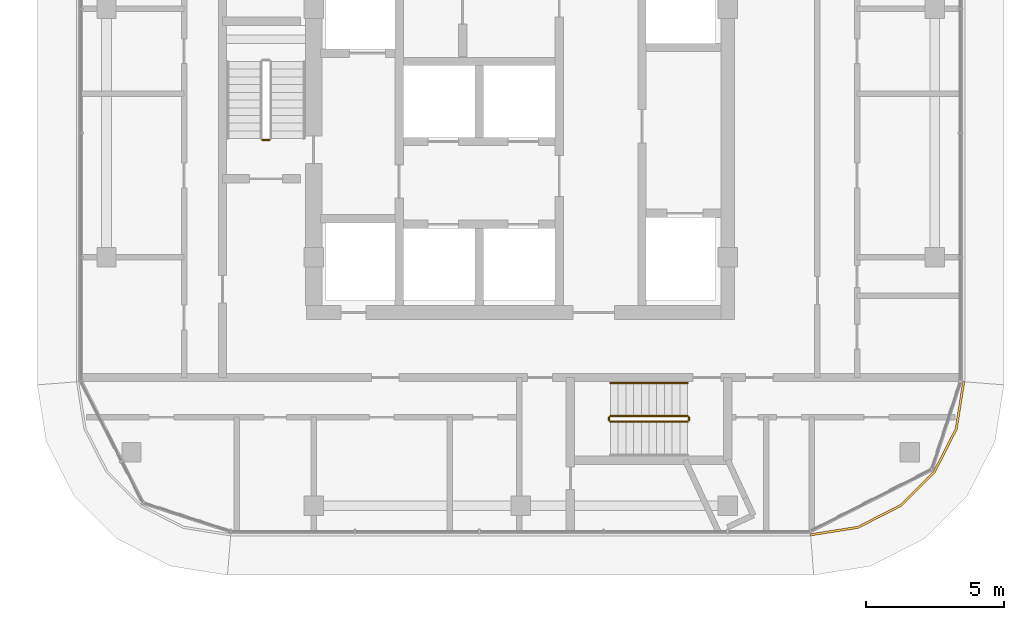
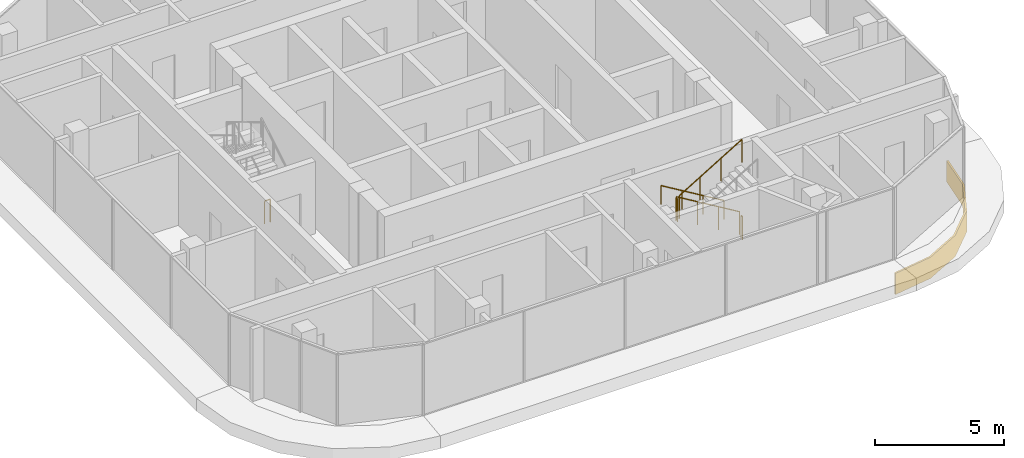
# One storey, part 39 of 40: 6 railings, 1 covering.
"""IFC4 building model written with IfcOpenShell, lengths in metres."""

from ifc_helpers import new_model, si_unit, direction, frame, origin, origin_2d, place, context, subcontext, project, spatial, polyline, circle, outline, extrude, material, layer, layer_set, type_object, element, save


model = new_model("IFC4")

# Units and contexts
model_context = context("Model", 3, precision=1e-05, world=origin(), true_north=direction((0.0, 1.0)))
body_context = subcontext(model_context, "Body", "Model", "MODEL_VIEW")
ifc_project = project(units=[si_unit("LENGTHUNIT", "METRE"), si_unit("AREAUNIT", "SQUARE_METRE"), si_unit("VOLUMEUNIT", "CUBIC_METRE"), si_unit("PLANEANGLEUNIT", "RADIAN"), si_unit("MASSUNIT", "GRAM", prefix="KILO")], contexts=[model_context])

# Site, building, storey
site_placement = place(None, origin())
site = spatial("IfcSite", under=ifc_project, at=site_placement, CompositionType="ELEMENT")
building_placement = place(site_placement, origin())
building = spatial("IfcBuilding", under=site, at=building_placement, Name="Ogive Portal Towers", CompositionType="ELEMENT")
storey_placement = place(building_placement, frame((0.0, 0.0, 87.10009765625)))
storey = spatial("IfcBuildingStorey", under=building, at=storey_placement, Name="L20", CompositionType="ELEMENT", Elevation=87.10009765625)

# Railings
ifc_material_1 = material(Name="Stainless steel balustrade", Category="steel")
railing_type_1 = type_object("IfcRailingType", Name="INT-GUARD", PredefinedType="GUARDRAIL", material=ifc_material_1)
railing_1_placement = place(storey_placement, frame((127.39990234375, 30.75, 0.0)))
element("IfcRailing", 1, at=railing_1_placement, inside=storey, type_object=railing_type_1, Name="L20 ST-B1 stair guard 4", PredefinedType="GUARDRAIL", context=body_context, shape_type="SweptSolid", body=[
    extrude(circle(Radius=0.02392578125, at=origin_2d()), frame((0.0, 0.0, 1.076171875), z_axis=(-1.0, 0.0, 0.0), x_axis=(0.0, -1.0, 0.0)), (0.0, 0.0, 1.0), 0.25),
    extrude(circle(Radius=0.02099609375, at=origin_2d()), origin(), (0.0, 0.0, 1.0), 1.052001953125),
    extrude(circle(Radius=0.02099609375, at=origin_2d()), frame((-0.25, 0.0, 0.0)), (0.0, 0.0, 1.0), 1.052001953125),
])
railing_2_placement = place(storey_placement, frame((142.550048828125, 20.75, 0.16796875)))
element("IfcRailing", 2, at=railing_2_placement, inside=storey, type_object=railing_type_1, Name="L20 ST-B2 stair guard 1", PredefinedType="GUARDRAIL", context=body_context, shape_type="SweptSolid", body=[
    extrude(circle(Radius=0.02392578125, at=origin_2d()), frame((0.0, 0.0, 1.076171875), z_axis=(-0.857242210791, 0.0, 0.514913383045), x_axis=(0.0, -1.0, 0.0)), (0.0, 0.0, 1.0), 3.266357421875),
    extrude(circle(Radius=0.02099609375, at=origin_2d()), origin(), (0.0, 0.0, 1.0), 1.052001953125),
    extrude(circle(Radius=0.02099609375, at=origin_2d()), frame((-0.933349609375, 0.0, 0.560546875)), (0.0, 0.0, 1.0), 1.052001953125),
    extrude(circle(Radius=0.02099609375, at=origin_2d()), frame((-1.86669921875, 0.0, 1.121337890625)), (0.0, 0.0, 1.0), 1.052001953125),
    extrude(circle(Radius=0.02099609375, at=origin_2d()), frame((-2.800048828125, 0.0, 1.681884765625)), (0.0, 0.0, 1.0), 1.052001953125),
])
railing_3_placement = place(storey_placement, frame((139.699951171875, 20.699951171875, 1.849853515625)))
element("IfcRailing", 3, at=railing_3_placement, inside=storey, type_object=railing_type_1, Name="L20 ST-B2 stair guard 2", PredefinedType="GUARDRAIL", context=body_context, shape_type="SweptSolid", body=[
    extrude(circle(Radius=0.02392578125, at=origin_2d()), frame((0.0, 0.0, 1.076171875), z_axis=(0.0, -1.0, 0.0), x_axis=(1.0, 0.0, 0.0)), (0.0, 0.0, 1.0), 0.099853515625),
    extrude(circle(Radius=0.02099609375, at=origin_2d()), origin(), (0.0, 0.0, 1.0), 1.052001953125),
    extrude(circle(Radius=0.02099609375, at=origin_2d()), frame((0.0, -0.099853515625, 0.0)), (0.0, 0.0, 1.0), 1.052001953125),
])
railing_4_placement = place(storey_placement, frame((139.75, 20.550048828125, 2.01806640625)))
element("IfcRailing", 4, at=railing_4_placement, inside=storey, type_object=railing_type_1, Name="L20 ST-B2 stair guard 3", PredefinedType="GUARDRAIL", context=body_context, shape_type="SweptSolid", body=[
    extrude(circle(Radius=0.02392578125, at=origin_2d()), frame((0.0, 0.0, 1.076171875), z_axis=(0.857242210791, 0.0, 0.514913383045), x_axis=(0.0, 1.0, 0.0)), (0.0, 0.0, 1.0), 3.266357421875),
    extrude(circle(Radius=0.02099609375, at=origin_2d()), origin(), (0.0, 0.0, 1.0), 1.052001953125),
    extrude(circle(Radius=0.02099609375, at=origin_2d()), frame((0.933349609375, 0.0, 0.560546875)), (0.0, 0.0, 1.0), 1.052001953125),
    extrude(circle(Radius=0.02099609375, at=origin_2d()), frame((1.86669921875, 0.0, 1.121337890625)), (0.0, 0.0, 1.0), 1.052001953125),
    extrude(circle(Radius=0.02099609375, at=origin_2d()), frame((2.800048828125, 0.0, 1.681884765625)), (0.0, 0.0, 1.0), 1.052001953125),
])
railing_5_placement = place(storey_placement, frame((142.60009765625, 20.699951171875, 0.0)))
element("IfcRailing", 5, at=railing_5_placement, inside=storey, type_object=railing_type_1, Name="L20 ST-B2 stair guard 4", PredefinedType="GUARDRAIL", context=body_context, shape_type="SweptSolid", body=[
    extrude(circle(Radius=0.02392578125, at=origin_2d()), frame((0.0, 0.0, 1.076171875), z_axis=(0.0, -1.0, 0.0), x_axis=(1.0, 0.0, 0.0)), (0.0, 0.0, 1.0), 0.099853515625),
    extrude(circle(Radius=0.02099609375, at=origin_2d()), origin(), (0.0, 0.0, 1.0), 1.052001953125),
    extrude(circle(Radius=0.02099609375, at=origin_2d()), frame((0.0, -0.099853515625, 0.0)), (0.0, 0.0, 1.0), 1.052001953125),
])
ifc_material_2 = material(Name="Stainless steel handrail", Category="steel")
railing_type_2 = type_object("IfcRailingType", Name="INT-HANDRAIL", PredefinedType="HANDRAIL", material=ifc_material_2)
railing_6_placement = place(storey_placement, frame((142.550048828125, 21.949951171875, 0.16796875)))
element("IfcRailing", 6, at=railing_6_placement, inside=storey, type_object=railing_type_2, Name="L20 ST-B2 stair handrail 1", PredefinedType="HANDRAIL", context=body_context, shape_type="SweptSolid", body=[
    extrude(circle(Radius=0.02392578125, at=origin_2d()), frame((0.0, 0.0, 0.8759765625), z_axis=(-0.857242210791, 0.0, 0.514913383045), x_axis=(0.0, -1.0, 0.0)), (0.0, 0.0, 1.0), 3.266357421875),
    extrude(circle(Radius=0.02099609375, at=origin_2d()), origin(), (0.0, 0.0, 1.0), 0.851806640625),
    extrude(circle(Radius=0.02099609375, at=origin_2d()), frame((-0.933349609375, 0.0, 0.560546875)), (0.0, 0.0, 1.0), 0.851806640625),
    extrude(circle(Radius=0.02099609375, at=origin_2d()), frame((-1.86669921875, 0.0, 1.121337890625)), (0.0, 0.0, 1.0), 0.851806640625),
    extrude(circle(Radius=0.02099609375, at=origin_2d()), frame((-2.800048828125, 0.0, 1.681884765625)), (0.0, 0.0, 1.0), 0.851806640625),
])

# Covering
ifc_material_3 = material(Name="Limestone cladding on lightweight block wall", Category="masonry")
ifc_layer = layer(ifc_material_3, 0.080078125)
ifc_layer_set = layer_set([ifc_layer], Name="STONE SPANDREL 80")
covering_type = type_object("IfcCoveringType", Name="STONE SPANDREL 80", PredefinedType="CLADDING", material=ifc_layer_set)
covering_placement = place(storey_placement, frame((0.0, 0.0, -1.60009765625)))
element("IfcCovering", 7, at=covering_placement, inside=storey, type_object=covering_type, Name="Stone spandrel B1-F03", PredefinedType="CLADDING", context=body_context, shape_type="SweptSolid", body=[
    extrude(outline(polyline([(147.0, 16.489990234375), (148.70263671875, 16.759765625), (150.23876953125, 17.542236328125), (151.457763671875, 18.76123046875), (152.240234375, 20.29736328125), (152.510009765625, 22.0), (152.590087890625, 21.99365234375), (152.3173828125, 20.272216796875), (151.523193359375, 18.713623046875), (150.286376953125, 17.476806640625), (148.727783203125, 16.6826171875), (147.00634765625, 16.409912109375), (147.0, 16.489990234375)])), origin(), (0.0, 0.0, 1.0), 1.0),
])

save(model, "model.ifc")
